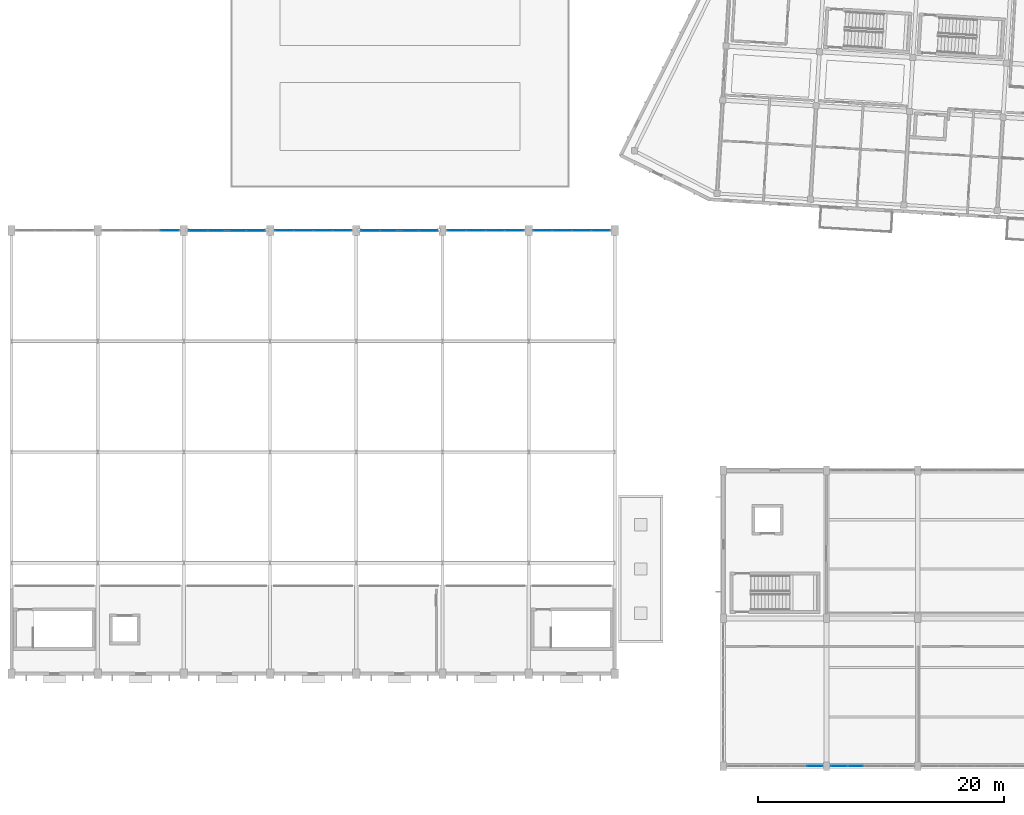
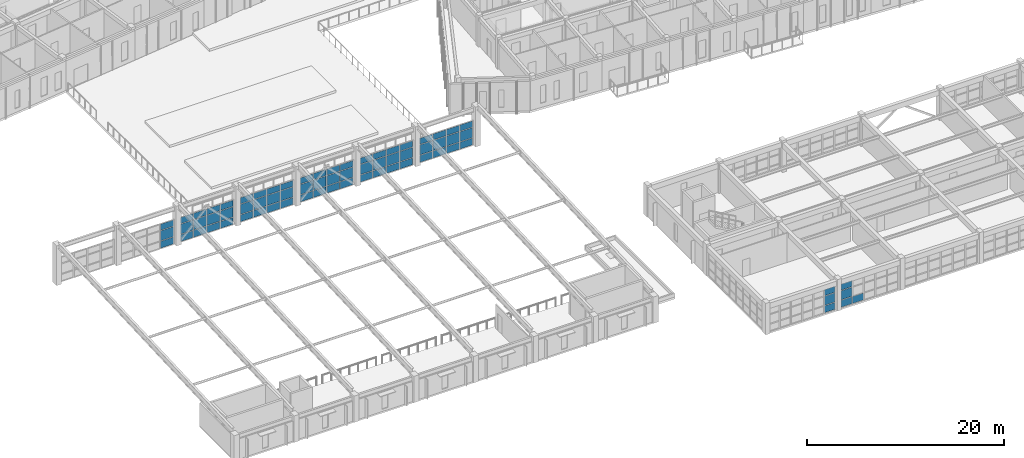
# One storey, part 68 of 150: 70 plates, 8 elements without a shape of their own.
"""IFC4 building model written with IfcOpenShell, lengths in metres."""

from ifc_helpers import new_model, si_unit, direction, frame, origin, origin_2d, place, context, subcontext, project, spatial, rectangle, extrude, material, layer, layer_set, type_object, element, aggregate, save


model = new_model("IFC4")

# Units and contexts
model_context = context("Model", 3, precision=1e-05, world=origin(), true_north=direction((0.0, 1.0)))
body_context = subcontext(model_context, "Body", "Model", "MODEL_VIEW")
ifc_project = project(units=[si_unit("LENGTHUNIT", "METRE"), si_unit("AREAUNIT", "SQUARE_METRE"), si_unit("VOLUMEUNIT", "CUBIC_METRE"), si_unit("PLANEANGLEUNIT", "RADIAN"), si_unit("MASSUNIT", "GRAM", prefix="KILO")], contexts=[model_context])

# Site, building, storey
site_placement = place(None, origin())
site = spatial("IfcSite", under=ifc_project, at=site_placement, CompositionType="ELEMENT")
building_placement = place(site_placement, origin())
building = spatial("IfcBuilding", under=site, at=building_placement, Name="Kestramere Prow Commons", CompositionType="ELEMENT")
storey_placement = place(building_placement, frame((0.0, 0.0, 4.5)))
storey = spatial("IfcBuildingStorey", under=building, at=storey_placement, Name="L01", CompositionType="ELEMENT", Elevation=4.5)

# Curtain wall, plates
ifc_material_1 = material(Name="Anodised Aluminium and Low-E Glass", Category="aluminium")
curtain_wall_type_1 = type_object("IfcCurtainWallType", Name="CW-12 Glazed Curtain Wall 6300x3100", PredefinedType="USERDEFINED", material=ifc_material_1)
curtain_wall_1_placement = place(storey_placement, origin())
curtain_wall_1 = element("IfcCurtainWall", 1, at=curtain_wall_1_placement, inside=storey, type_object=curtain_wall_type_1, Name="Hall North Clerestory Curtain Wall L01-2", ObjectType="GLAZED CURTAIN WALL", PredefinedType="USERDEFINED")
ifc_material_2 = material(Name="Low-E Laminated Double Glazing", Category="glass")
ifc_layer = layer(ifc_material_2, 0.028076171875)
ifc_layer_set = layer_set([ifc_layer], Name="Low-E Laminated Double Glazing")
plate_type = type_object("IfcPlateType", Name="CW-PNL-28", PredefinedType="CURTAIN_PANEL", material=ifc_layer_set)
plate_1_placement = place(storey_placement, frame((15.046142578125, 43.5, 0.06494140625), z_axis=(0.0, 0.0, 1.0), x_axis=(1.0, 0.0, 0.0)))
plate_1 = element("IfcPlate", 2, at=plate_1_placement, type_object=plate_type, Name="CW-12 panel 4.1", PredefinedType="CURTAIN_PANEL", context=body_context, shape_type="SweptSolid", body=[
    extrude(rectangle(XDim=1.4775390625, YDim=0.028076171875, at=origin_2d()), origin(), (0.0, 0.0, 1.0), 0.8525390625),
])
plate_2_placement = place(storey_placement, frame((15.046142578125, 43.5, 0.982421875), z_axis=(0.0, 0.0, 1.0), x_axis=(1.0, 0.0, 0.0)))
plate_2 = element("IfcPlate", 3, at=plate_2_placement, type_object=plate_type, Name="CW-12 panel 4.2", PredefinedType="CURTAIN_PANEL", context=body_context, shape_type="SweptSolid", body=[
    extrude(rectangle(XDim=1.4775390625, YDim=0.028076171875, at=origin_2d()), origin(), (0.0, 0.0, 1.0), 1.235107421875),
])
plate_3_placement = place(storey_placement, frame((15.046142578125, 43.5, 2.282470703125), z_axis=(0.0, 0.0, 1.0), x_axis=(1.0, 0.0, 0.0)))
plate_3 = element("IfcPlate", 4, at=plate_3_placement, type_object=plate_type, Name="CW-12 panel 4.3", PredefinedType="CURTAIN_PANEL", context=body_context, shape_type="SweptSolid", body=[
    extrude(rectangle(XDim=1.4775390625, YDim=0.028076171875, at=origin_2d()), origin(), (0.0, 0.0, 1.0), 0.75244140625),
])
aggregate(curtain_wall_1, [plate_1, plate_2, plate_3])

curtain_wall_2_placement = place(storey_placement, origin())
curtain_wall_2 = element("IfcCurtainWall", 5, at=curtain_wall_2_placement, inside=storey, type_object=curtain_wall_type_1, Name="Hall North Clerestory Curtain Wall L01-3", ObjectType="GLAZED CURTAIN WALL", PredefinedType="USERDEFINED")
plate_4_placement = place(storey_placement, frame((17.353759765625, 43.5, 0.06494140625), z_axis=(0.0, 0.0, 1.0), x_axis=(1.0, 0.0, 0.0)))
plate_4 = element("IfcPlate", 6, at=plate_4_placement, type_object=plate_type, Name="CW-12 panel 1.1", PredefinedType="CURTAIN_PANEL", context=body_context, shape_type="SweptSolid", body=[
    extrude(rectangle(XDim=1.4775390625, YDim=0.028076171875, at=origin_2d()), origin(), (0.0, 0.0, 1.0), 0.8525390625),
])
plate_5_placement = place(storey_placement, frame((17.353759765625, 43.5, 0.982421875), z_axis=(0.0, 0.0, 1.0), x_axis=(1.0, 0.0, 0.0)))
plate_5 = element("IfcPlate", 7, at=plate_5_placement, type_object=plate_type, Name="CW-12 panel 1.2", PredefinedType="CURTAIN_PANEL", context=body_context, shape_type="SweptSolid", body=[
    extrude(rectangle(XDim=1.4775390625, YDim=0.028076171875, at=origin_2d()), origin(), (0.0, 0.0, 1.0), 1.235107421875),
])
plate_6_placement = place(storey_placement, frame((17.353759765625, 43.5, 2.282470703125), z_axis=(0.0, 0.0, 1.0), x_axis=(1.0, 0.0, 0.0)))
plate_6 = element("IfcPlate", 8, at=plate_6_placement, type_object=plate_type, Name="CW-12 panel 1.3", PredefinedType="CURTAIN_PANEL", context=body_context, shape_type="SweptSolid", body=[
    extrude(rectangle(XDim=1.4775390625, YDim=0.028076171875, at=origin_2d()), origin(), (0.0, 0.0, 1.0), 0.75244140625),
])
plate_7_placement = place(storey_placement, frame((18.91259765625, 43.5, 0.06494140625), z_axis=(0.0, 0.0, 1.0), x_axis=(1.0, 0.0, 0.0)))
plate_7 = element("IfcPlate", 9, at=plate_7_placement, type_object=plate_type, Name="CW-12 panel 2.1", PredefinedType="CURTAIN_PANEL", context=body_context, shape_type="SweptSolid", body=[
    extrude(rectangle(XDim=1.510009765625, YDim=0.028076171875, at=origin_2d()), origin(), (0.0, 0.0, 1.0), 0.8525390625),
])
plate_8_placement = place(storey_placement, frame((18.91259765625, 43.5, 0.982421875), z_axis=(0.0, 0.0, 1.0), x_axis=(1.0, 0.0, 0.0)))
plate_8 = element("IfcPlate", 10, at=plate_8_placement, type_object=plate_type, Name="CW-12 panel 2.2", PredefinedType="CURTAIN_PANEL", context=body_context, shape_type="SweptSolid", body=[
    extrude(rectangle(XDim=1.510009765625, YDim=0.028076171875, at=origin_2d()), origin(), (0.0, 0.0, 1.0), 1.235107421875),
])
plate_9_placement = place(storey_placement, frame((18.91259765625, 43.5, 2.282470703125), z_axis=(0.0, 0.0, 1.0), x_axis=(1.0, 0.0, 0.0)))
plate_9 = element("IfcPlate", 11, at=plate_9_placement, type_object=plate_type, Name="CW-12 panel 2.3", PredefinedType="CURTAIN_PANEL", context=body_context, shape_type="SweptSolid", body=[
    extrude(rectangle(XDim=1.510009765625, YDim=0.028076171875, at=origin_2d()), origin(), (0.0, 0.0, 1.0), 0.75244140625),
])
plate_10_placement = place(storey_placement, frame((20.487548828125, 43.5, 0.06494140625), z_axis=(0.0, 0.0, 1.0), x_axis=(1.0, 0.0, 0.0)))
plate_10 = element("IfcPlate", 12, at=plate_10_placement, type_object=plate_type, Name="CW-12 panel 3.1", PredefinedType="CURTAIN_PANEL", context=body_context, shape_type="SweptSolid", body=[
    extrude(rectangle(XDim=1.510009765625, YDim=0.028076171875, at=origin_2d()), origin(), (0.0, 0.0, 1.0), 0.8525390625),
])
plate_11_placement = place(storey_placement, frame((20.487548828125, 43.5, 0.982421875), z_axis=(0.0, 0.0, 1.0), x_axis=(1.0, 0.0, 0.0)))
plate_11 = element("IfcPlate", 13, at=plate_11_placement, type_object=plate_type, Name="CW-12 panel 3.2", PredefinedType="CURTAIN_PANEL", context=body_context, shape_type="SweptSolid", body=[
    extrude(rectangle(XDim=1.510009765625, YDim=0.028076171875, at=origin_2d()), origin(), (0.0, 0.0, 1.0), 1.235107421875),
])
plate_12_placement = place(storey_placement, frame((20.487548828125, 43.5, 2.282470703125), z_axis=(0.0, 0.0, 1.0), x_axis=(1.0, 0.0, 0.0)))
plate_12 = element("IfcPlate", 14, at=plate_12_placement, type_object=plate_type, Name="CW-12 panel 3.3", PredefinedType="CURTAIN_PANEL", context=body_context, shape_type="SweptSolid", body=[
    extrude(rectangle(XDim=1.510009765625, YDim=0.028076171875, at=origin_2d()), origin(), (0.0, 0.0, 1.0), 0.75244140625),
])
plate_13_placement = place(storey_placement, frame((22.046142578125, 43.5, 0.06494140625), z_axis=(0.0, 0.0, 1.0), x_axis=(1.0, 0.0, 0.0)))
plate_13 = element("IfcPlate", 15, at=plate_13_placement, type_object=plate_type, Name="CW-12 panel 4.1", PredefinedType="CURTAIN_PANEL", context=body_context, shape_type="SweptSolid", body=[
    extrude(rectangle(XDim=1.4775390625, YDim=0.028076171875, at=origin_2d()), origin(), (0.0, 0.0, 1.0), 0.8525390625),
])
plate_14_placement = place(storey_placement, frame((22.046142578125, 43.5, 0.982421875), z_axis=(0.0, 0.0, 1.0), x_axis=(1.0, 0.0, 0.0)))
plate_14 = element("IfcPlate", 16, at=plate_14_placement, type_object=plate_type, Name="CW-12 panel 4.2", PredefinedType="CURTAIN_PANEL", context=body_context, shape_type="SweptSolid", body=[
    extrude(rectangle(XDim=1.4775390625, YDim=0.028076171875, at=origin_2d()), origin(), (0.0, 0.0, 1.0), 1.235107421875),
])
plate_15_placement = place(storey_placement, frame((22.046142578125, 43.5, 2.282470703125), z_axis=(0.0, 0.0, 1.0), x_axis=(1.0, 0.0, 0.0)))
plate_15 = element("IfcPlate", 17, at=plate_15_placement, type_object=plate_type, Name="CW-12 panel 4.3", PredefinedType="CURTAIN_PANEL", context=body_context, shape_type="SweptSolid", body=[
    extrude(rectangle(XDim=1.4775390625, YDim=0.028076171875, at=origin_2d()), origin(), (0.0, 0.0, 1.0), 0.75244140625),
])
aggregate(curtain_wall_2, [plate_4, plate_5, plate_6, plate_7, plate_8, plate_9, plate_10, plate_11, plate_12, plate_13, plate_14, plate_15])

curtain_wall_3_placement = place(storey_placement, origin())
curtain_wall_3 = element("IfcCurtainWall", 18, at=curtain_wall_3_placement, inside=storey, type_object=curtain_wall_type_1, Name="Hall North Clerestory Curtain Wall L01-4", ObjectType="GLAZED CURTAIN WALL", PredefinedType="USERDEFINED")
plate_16_placement = place(storey_placement, frame((24.353759765625, 43.5, 0.06494140625), z_axis=(0.0, 0.0, 1.0), x_axis=(1.0, 0.0, 0.0)))
plate_16 = element("IfcPlate", 19, at=plate_16_placement, type_object=plate_type, Name="CW-12 panel 1.1", PredefinedType="CURTAIN_PANEL", context=body_context, shape_type="SweptSolid", body=[
    extrude(rectangle(XDim=1.4775390625, YDim=0.028076171875, at=origin_2d()), origin(), (0.0, 0.0, 1.0), 0.8525390625),
])
plate_17_placement = place(storey_placement, frame((24.353759765625, 43.5, 0.982421875), z_axis=(0.0, 0.0, 1.0), x_axis=(1.0, 0.0, 0.0)))
plate_17 = element("IfcPlate", 20, at=plate_17_placement, type_object=plate_type, Name="CW-12 panel 1.2", PredefinedType="CURTAIN_PANEL", context=body_context, shape_type="SweptSolid", body=[
    extrude(rectangle(XDim=1.4775390625, YDim=0.028076171875, at=origin_2d()), origin(), (0.0, 0.0, 1.0), 1.235107421875),
])
plate_18_placement = place(storey_placement, frame((24.353759765625, 43.5, 2.282470703125), z_axis=(0.0, 0.0, 1.0), x_axis=(1.0, 0.0, 0.0)))
plate_18 = element("IfcPlate", 21, at=plate_18_placement, type_object=plate_type, Name="CW-12 panel 1.3", PredefinedType="CURTAIN_PANEL", context=body_context, shape_type="SweptSolid", body=[
    extrude(rectangle(XDim=1.4775390625, YDim=0.028076171875, at=origin_2d()), origin(), (0.0, 0.0, 1.0), 0.75244140625),
])
plate_19_placement = place(storey_placement, frame((25.91259765625, 43.5, 0.06494140625), z_axis=(0.0, 0.0, 1.0), x_axis=(1.0, 0.0, 0.0)))
plate_19 = element("IfcPlate", 22, at=plate_19_placement, type_object=plate_type, Name="CW-12 panel 2.1", PredefinedType="CURTAIN_PANEL", context=body_context, shape_type="SweptSolid", body=[
    extrude(rectangle(XDim=1.510009765625, YDim=0.028076171875, at=origin_2d()), origin(), (0.0, 0.0, 1.0), 0.8525390625),
])
plate_20_placement = place(storey_placement, frame((25.91259765625, 43.5, 0.982421875), z_axis=(0.0, 0.0, 1.0), x_axis=(1.0, 0.0, 0.0)))
plate_20 = element("IfcPlate", 23, at=plate_20_placement, type_object=plate_type, Name="CW-12 panel 2.2", PredefinedType="CURTAIN_PANEL", context=body_context, shape_type="SweptSolid", body=[
    extrude(rectangle(XDim=1.510009765625, YDim=0.028076171875, at=origin_2d()), origin(), (0.0, 0.0, 1.0), 1.235107421875),
])
plate_21_placement = place(storey_placement, frame((25.91259765625, 43.5, 2.282470703125), z_axis=(0.0, 0.0, 1.0), x_axis=(1.0, 0.0, 0.0)))
plate_21 = element("IfcPlate", 24, at=plate_21_placement, type_object=plate_type, Name="CW-12 panel 2.3", PredefinedType="CURTAIN_PANEL", context=body_context, shape_type="SweptSolid", body=[
    extrude(rectangle(XDim=1.510009765625, YDim=0.028076171875, at=origin_2d()), origin(), (0.0, 0.0, 1.0), 0.75244140625),
])
plate_22_placement = place(storey_placement, frame((27.487548828125, 43.5, 0.06494140625), z_axis=(0.0, 0.0, 1.0), x_axis=(1.0, 0.0, 0.0)))
plate_22 = element("IfcPlate", 25, at=plate_22_placement, type_object=plate_type, Name="CW-12 panel 3.1", PredefinedType="CURTAIN_PANEL", context=body_context, shape_type="SweptSolid", body=[
    extrude(rectangle(XDim=1.510009765625, YDim=0.028076171875, at=origin_2d()), origin(), (0.0, 0.0, 1.0), 0.8525390625),
])
plate_23_placement = place(storey_placement, frame((27.487548828125, 43.5, 0.982421875), z_axis=(0.0, 0.0, 1.0), x_axis=(1.0, 0.0, 0.0)))
plate_23 = element("IfcPlate", 26, at=plate_23_placement, type_object=plate_type, Name="CW-12 panel 3.2", PredefinedType="CURTAIN_PANEL", context=body_context, shape_type="SweptSolid", body=[
    extrude(rectangle(XDim=1.510009765625, YDim=0.028076171875, at=origin_2d()), origin(), (0.0, 0.0, 1.0), 1.235107421875),
])
plate_24_placement = place(storey_placement, frame((27.487548828125, 43.5, 2.282470703125), z_axis=(0.0, 0.0, 1.0), x_axis=(1.0, 0.0, 0.0)))
plate_24 = element("IfcPlate", 27, at=plate_24_placement, type_object=plate_type, Name="CW-12 panel 3.3", PredefinedType="CURTAIN_PANEL", context=body_context, shape_type="SweptSolid", body=[
    extrude(rectangle(XDim=1.510009765625, YDim=0.028076171875, at=origin_2d()), origin(), (0.0, 0.0, 1.0), 0.75244140625),
])
plate_25_placement = place(storey_placement, frame((29.046142578125, 43.5, 0.06494140625), z_axis=(0.0, 0.0, 1.0), x_axis=(1.0, 0.0, 0.0)))
plate_25 = element("IfcPlate", 28, at=plate_25_placement, type_object=plate_type, Name="CW-12 panel 4.1", PredefinedType="CURTAIN_PANEL", context=body_context, shape_type="SweptSolid", body=[
    extrude(rectangle(XDim=1.4775390625, YDim=0.028076171875, at=origin_2d()), origin(), (0.0, 0.0, 1.0), 0.8525390625),
])
plate_26_placement = place(storey_placement, frame((29.046142578125, 43.5, 0.982421875), z_axis=(0.0, 0.0, 1.0), x_axis=(1.0, 0.0, 0.0)))
plate_26 = element("IfcPlate", 29, at=plate_26_placement, type_object=plate_type, Name="CW-12 panel 4.2", PredefinedType="CURTAIN_PANEL", context=body_context, shape_type="SweptSolid", body=[
    extrude(rectangle(XDim=1.4775390625, YDim=0.028076171875, at=origin_2d()), origin(), (0.0, 0.0, 1.0), 1.235107421875),
])
plate_27_placement = place(storey_placement, frame((29.046142578125, 43.5, 2.282470703125), z_axis=(0.0, 0.0, 1.0), x_axis=(1.0, 0.0, 0.0)))
plate_27 = element("IfcPlate", 30, at=plate_27_placement, type_object=plate_type, Name="CW-12 panel 4.3", PredefinedType="CURTAIN_PANEL", context=body_context, shape_type="SweptSolid", body=[
    extrude(rectangle(XDim=1.4775390625, YDim=0.028076171875, at=origin_2d()), origin(), (0.0, 0.0, 1.0), 0.75244140625),
])
aggregate(curtain_wall_3, [plate_16, plate_17, plate_18, plate_19, plate_20, plate_21, plate_22, plate_23, plate_24, plate_25, plate_26, plate_27])

curtain_wall_4_placement = place(storey_placement, origin())
curtain_wall_4 = element("IfcCurtainWall", 31, at=curtain_wall_4_placement, inside=storey, type_object=curtain_wall_type_1, Name="Hall North Clerestory Curtain Wall L01-5", ObjectType="GLAZED CURTAIN WALL", PredefinedType="USERDEFINED")
plate_28_placement = place(storey_placement, frame((31.353759765625, 43.5, 0.06494140625), z_axis=(0.0, 0.0, 1.0), x_axis=(1.0, 0.0, 0.0)))
plate_28 = element("IfcPlate", 32, at=plate_28_placement, type_object=plate_type, Name="CW-12 panel 1.1", PredefinedType="CURTAIN_PANEL", context=body_context, shape_type="SweptSolid", body=[
    extrude(rectangle(XDim=1.4775390625, YDim=0.028076171875, at=origin_2d()), origin(), (0.0, 0.0, 1.0), 0.8525390625),
])
plate_29_placement = place(storey_placement, frame((31.353759765625, 43.5, 0.982421875), z_axis=(0.0, 0.0, 1.0), x_axis=(1.0, 0.0, 0.0)))
plate_29 = element("IfcPlate", 33, at=plate_29_placement, type_object=plate_type, Name="CW-12 panel 1.2", PredefinedType="CURTAIN_PANEL", context=body_context, shape_type="SweptSolid", body=[
    extrude(rectangle(XDim=1.4775390625, YDim=0.028076171875, at=origin_2d()), origin(), (0.0, 0.0, 1.0), 1.235107421875),
])
plate_30_placement = place(storey_placement, frame((31.353759765625, 43.5, 2.282470703125), z_axis=(0.0, 0.0, 1.0), x_axis=(1.0, 0.0, 0.0)))
plate_30 = element("IfcPlate", 34, at=plate_30_placement, type_object=plate_type, Name="CW-12 panel 1.3", PredefinedType="CURTAIN_PANEL", context=body_context, shape_type="SweptSolid", body=[
    extrude(rectangle(XDim=1.4775390625, YDim=0.028076171875, at=origin_2d()), origin(), (0.0, 0.0, 1.0), 0.75244140625),
])
plate_31_placement = place(storey_placement, frame((32.91259765625, 43.5, 0.06494140625), z_axis=(0.0, 0.0, 1.0), x_axis=(1.0, 0.0, 0.0)))
plate_31 = element("IfcPlate", 35, at=plate_31_placement, type_object=plate_type, Name="CW-12 panel 2.1", PredefinedType="CURTAIN_PANEL", context=body_context, shape_type="SweptSolid", body=[
    extrude(rectangle(XDim=1.510009765625, YDim=0.028076171875, at=origin_2d()), origin(), (0.0, 0.0, 1.0), 0.8525390625),
])
plate_32_placement = place(storey_placement, frame((32.91259765625, 43.5, 0.982421875), z_axis=(0.0, 0.0, 1.0), x_axis=(1.0, 0.0, 0.0)))
plate_32 = element("IfcPlate", 36, at=plate_32_placement, type_object=plate_type, Name="CW-12 panel 2.2", PredefinedType="CURTAIN_PANEL", context=body_context, shape_type="SweptSolid", body=[
    extrude(rectangle(XDim=1.510009765625, YDim=0.028076171875, at=origin_2d()), origin(), (0.0, 0.0, 1.0), 1.235107421875),
])
plate_33_placement = place(storey_placement, frame((32.91259765625, 43.5, 2.282470703125), z_axis=(0.0, 0.0, 1.0), x_axis=(1.0, 0.0, 0.0)))
plate_33 = element("IfcPlate", 37, at=plate_33_placement, type_object=plate_type, Name="CW-12 panel 2.3", PredefinedType="CURTAIN_PANEL", context=body_context, shape_type="SweptSolid", body=[
    extrude(rectangle(XDim=1.510009765625, YDim=0.028076171875, at=origin_2d()), origin(), (0.0, 0.0, 1.0), 0.75244140625),
])
plate_34_placement = place(storey_placement, frame((34.487548828125, 43.5, 0.06494140625), z_axis=(0.0, 0.0, 1.0), x_axis=(1.0, 0.0, 0.0)))
plate_34 = element("IfcPlate", 38, at=plate_34_placement, type_object=plate_type, Name="CW-12 panel 3.1", PredefinedType="CURTAIN_PANEL", context=body_context, shape_type="SweptSolid", body=[
    extrude(rectangle(XDim=1.510009765625, YDim=0.028076171875, at=origin_2d()), origin(), (0.0, 0.0, 1.0), 0.8525390625),
])
plate_35_placement = place(storey_placement, frame((34.487548828125, 43.5, 0.982421875), z_axis=(0.0, 0.0, 1.0), x_axis=(1.0, 0.0, 0.0)))
plate_35 = element("IfcPlate", 39, at=plate_35_placement, type_object=plate_type, Name="CW-12 panel 3.2", PredefinedType="CURTAIN_PANEL", context=body_context, shape_type="SweptSolid", body=[
    extrude(rectangle(XDim=1.510009765625, YDim=0.028076171875, at=origin_2d()), origin(), (0.0, 0.0, 1.0), 1.235107421875),
])
plate_36_placement = place(storey_placement, frame((34.487548828125, 43.5, 2.282470703125), z_axis=(0.0, 0.0, 1.0), x_axis=(1.0, 0.0, 0.0)))
plate_36 = element("IfcPlate", 40, at=plate_36_placement, type_object=plate_type, Name="CW-12 panel 3.3", PredefinedType="CURTAIN_PANEL", context=body_context, shape_type="SweptSolid", body=[
    extrude(rectangle(XDim=1.510009765625, YDim=0.028076171875, at=origin_2d()), origin(), (0.0, 0.0, 1.0), 0.75244140625),
])
plate_37_placement = place(storey_placement, frame((36.046142578125, 43.5, 0.06494140625), z_axis=(0.0, 0.0, 1.0), x_axis=(1.0, 0.0, 0.0)))
plate_37 = element("IfcPlate", 41, at=plate_37_placement, type_object=plate_type, Name="CW-12 panel 4.1", PredefinedType="CURTAIN_PANEL", context=body_context, shape_type="SweptSolid", body=[
    extrude(rectangle(XDim=1.4775390625, YDim=0.028076171875, at=origin_2d()), origin(), (0.0, 0.0, 1.0), 0.8525390625),
])
plate_38_placement = place(storey_placement, frame((36.046142578125, 43.5, 0.982421875), z_axis=(0.0, 0.0, 1.0), x_axis=(1.0, 0.0, 0.0)))
plate_38 = element("IfcPlate", 42, at=plate_38_placement, type_object=plate_type, Name="CW-12 panel 4.2", PredefinedType="CURTAIN_PANEL", context=body_context, shape_type="SweptSolid", body=[
    extrude(rectangle(XDim=1.4775390625, YDim=0.028076171875, at=origin_2d()), origin(), (0.0, 0.0, 1.0), 1.235107421875),
])
plate_39_placement = place(storey_placement, frame((36.046142578125, 43.5, 2.282470703125), z_axis=(0.0, 0.0, 1.0), x_axis=(1.0, 0.0, 0.0)))
plate_39 = element("IfcPlate", 43, at=plate_39_placement, type_object=plate_type, Name="CW-12 panel 4.3", PredefinedType="CURTAIN_PANEL", context=body_context, shape_type="SweptSolid", body=[
    extrude(rectangle(XDim=1.4775390625, YDim=0.028076171875, at=origin_2d()), origin(), (0.0, 0.0, 1.0), 0.75244140625),
])
aggregate(curtain_wall_4, [plate_28, plate_29, plate_30, plate_31, plate_32, plate_33, plate_34, plate_35, plate_36, plate_37, plate_38, plate_39])

curtain_wall_5_placement = place(storey_placement, origin())
curtain_wall_5 = element("IfcCurtainWall", 44, at=curtain_wall_5_placement, inside=storey, type_object=curtain_wall_type_1, Name="Hall North Clerestory Curtain Wall L01-6", ObjectType="GLAZED CURTAIN WALL", PredefinedType="USERDEFINED")
plate_40_placement = place(storey_placement, frame((38.353759765625, 43.5, 0.06494140625), z_axis=(0.0, 0.0, 1.0), x_axis=(1.0, 0.0, 0.0)))
plate_40 = element("IfcPlate", 45, at=plate_40_placement, type_object=plate_type, Name="CW-12 panel 1.1", PredefinedType="CURTAIN_PANEL", context=body_context, shape_type="SweptSolid", body=[
    extrude(rectangle(XDim=1.4775390625, YDim=0.028076171875, at=origin_2d()), origin(), (0.0, 0.0, 1.0), 0.8525390625),
])
plate_41_placement = place(storey_placement, frame((38.353759765625, 43.5, 0.982421875), z_axis=(0.0, 0.0, 1.0), x_axis=(1.0, 0.0, 0.0)))
plate_41 = element("IfcPlate", 46, at=plate_41_placement, type_object=plate_type, Name="CW-12 panel 1.2", PredefinedType="CURTAIN_PANEL", context=body_context, shape_type="SweptSolid", body=[
    extrude(rectangle(XDim=1.4775390625, YDim=0.028076171875, at=origin_2d()), origin(), (0.0, 0.0, 1.0), 1.235107421875),
])
plate_42_placement = place(storey_placement, frame((38.353759765625, 43.5, 2.282470703125), z_axis=(0.0, 0.0, 1.0), x_axis=(1.0, 0.0, 0.0)))
plate_42 = element("IfcPlate", 47, at=plate_42_placement, type_object=plate_type, Name="CW-12 panel 1.3", PredefinedType="CURTAIN_PANEL", context=body_context, shape_type="SweptSolid", body=[
    extrude(rectangle(XDim=1.4775390625, YDim=0.028076171875, at=origin_2d()), origin(), (0.0, 0.0, 1.0), 0.75244140625),
])
plate_43_placement = place(storey_placement, frame((39.91259765625, 43.5, 0.06494140625), z_axis=(0.0, 0.0, 1.0), x_axis=(1.0, 0.0, 0.0)))
plate_43 = element("IfcPlate", 48, at=plate_43_placement, type_object=plate_type, Name="CW-12 panel 2.1", PredefinedType="CURTAIN_PANEL", context=body_context, shape_type="SweptSolid", body=[
    extrude(rectangle(XDim=1.510009765625, YDim=0.028076171875, at=origin_2d()), origin(), (0.0, 0.0, 1.0), 0.8525390625),
])
plate_44_placement = place(storey_placement, frame((39.91259765625, 43.5, 0.982421875), z_axis=(0.0, 0.0, 1.0), x_axis=(1.0, 0.0, 0.0)))
plate_44 = element("IfcPlate", 49, at=plate_44_placement, type_object=plate_type, Name="CW-12 panel 2.2", PredefinedType="CURTAIN_PANEL", context=body_context, shape_type="SweptSolid", body=[
    extrude(rectangle(XDim=1.510009765625, YDim=0.028076171875, at=origin_2d()), origin(), (0.0, 0.0, 1.0), 1.235107421875),
])
plate_45_placement = place(storey_placement, frame((39.91259765625, 43.5, 2.282470703125), z_axis=(0.0, 0.0, 1.0), x_axis=(1.0, 0.0, 0.0)))
plate_45 = element("IfcPlate", 50, at=plate_45_placement, type_object=plate_type, Name="CW-12 panel 2.3", PredefinedType="CURTAIN_PANEL", context=body_context, shape_type="SweptSolid", body=[
    extrude(rectangle(XDim=1.510009765625, YDim=0.028076171875, at=origin_2d()), origin(), (0.0, 0.0, 1.0), 0.75244140625),
])
plate_46_placement = place(storey_placement, frame((41.487548828125, 43.5, 0.06494140625), z_axis=(0.0, 0.0, 1.0), x_axis=(1.0, 0.0, 0.0)))
plate_46 = element("IfcPlate", 51, at=plate_46_placement, type_object=plate_type, Name="CW-12 panel 3.1", PredefinedType="CURTAIN_PANEL", context=body_context, shape_type="SweptSolid", body=[
    extrude(rectangle(XDim=1.510009765625, YDim=0.028076171875, at=origin_2d()), origin(), (0.0, 0.0, 1.0), 0.8525390625),
])
plate_47_placement = place(storey_placement, frame((41.487548828125, 43.5, 0.982421875), z_axis=(0.0, 0.0, 1.0), x_axis=(1.0, 0.0, 0.0)))
plate_47 = element("IfcPlate", 52, at=plate_47_placement, type_object=plate_type, Name="CW-12 panel 3.2", PredefinedType="CURTAIN_PANEL", context=body_context, shape_type="SweptSolid", body=[
    extrude(rectangle(XDim=1.510009765625, YDim=0.028076171875, at=origin_2d()), origin(), (0.0, 0.0, 1.0), 1.235107421875),
])
plate_48_placement = place(storey_placement, frame((41.487548828125, 43.5, 2.282470703125), z_axis=(0.0, 0.0, 1.0), x_axis=(1.0, 0.0, 0.0)))
plate_48 = element("IfcPlate", 53, at=plate_48_placement, type_object=plate_type, Name="CW-12 panel 3.3", PredefinedType="CURTAIN_PANEL", context=body_context, shape_type="SweptSolid", body=[
    extrude(rectangle(XDim=1.510009765625, YDim=0.028076171875, at=origin_2d()), origin(), (0.0, 0.0, 1.0), 0.75244140625),
])
plate_49_placement = place(storey_placement, frame((43.046142578125, 43.5, 0.06494140625), z_axis=(0.0, 0.0, 1.0), x_axis=(1.0, 0.0, 0.0)))
plate_49 = element("IfcPlate", 54, at=plate_49_placement, type_object=plate_type, Name="CW-12 panel 4.1", PredefinedType="CURTAIN_PANEL", context=body_context, shape_type="SweptSolid", body=[
    extrude(rectangle(XDim=1.4775390625, YDim=0.028076171875, at=origin_2d()), origin(), (0.0, 0.0, 1.0), 0.8525390625),
])
plate_50_placement = place(storey_placement, frame((43.046142578125, 43.5, 0.982421875), z_axis=(0.0, 0.0, 1.0), x_axis=(1.0, 0.0, 0.0)))
plate_50 = element("IfcPlate", 55, at=plate_50_placement, type_object=plate_type, Name="CW-12 panel 4.2", PredefinedType="CURTAIN_PANEL", context=body_context, shape_type="SweptSolid", body=[
    extrude(rectangle(XDim=1.4775390625, YDim=0.028076171875, at=origin_2d()), origin(), (0.0, 0.0, 1.0), 1.235107421875),
])
plate_51_placement = place(storey_placement, frame((43.046142578125, 43.5, 2.282470703125), z_axis=(0.0, 0.0, 1.0), x_axis=(1.0, 0.0, 0.0)))
plate_51 = element("IfcPlate", 56, at=plate_51_placement, type_object=plate_type, Name="CW-12 panel 4.3", PredefinedType="CURTAIN_PANEL", context=body_context, shape_type="SweptSolid", body=[
    extrude(rectangle(XDim=1.4775390625, YDim=0.028076171875, at=origin_2d()), origin(), (0.0, 0.0, 1.0), 0.75244140625),
])
aggregate(curtain_wall_5, [plate_40, plate_41, plate_42, plate_43, plate_44, plate_45, plate_46, plate_47, plate_48, plate_49, plate_50, plate_51])

curtain_wall_6_placement = place(storey_placement, origin())
curtain_wall_6 = element("IfcCurtainWall", 57, at=curtain_wall_6_placement, inside=storey, type_object=curtain_wall_type_1, Name="Hall North Clerestory Curtain Wall L01-7", ObjectType="GLAZED CURTAIN WALL", PredefinedType="USERDEFINED")
plate_52_placement = place(storey_placement, frame((45.353759765625, 43.5, 0.06494140625), z_axis=(0.0, 0.0, 1.0), x_axis=(1.0, 0.0, 0.0)))
plate_52 = element("IfcPlate", 58, at=plate_52_placement, type_object=plate_type, Name="CW-12 panel 1.1", PredefinedType="CURTAIN_PANEL", context=body_context, shape_type="SweptSolid", body=[
    extrude(rectangle(XDim=1.4775390625, YDim=0.028076171875, at=origin_2d()), origin(), (0.0, 0.0, 1.0), 0.8525390625),
])
plate_53_placement = place(storey_placement, frame((45.353759765625, 43.5, 0.982421875), z_axis=(0.0, 0.0, 1.0), x_axis=(1.0, 0.0, 0.0)))
plate_53 = element("IfcPlate", 59, at=plate_53_placement, type_object=plate_type, Name="CW-12 panel 1.2", PredefinedType="CURTAIN_PANEL", context=body_context, shape_type="SweptSolid", body=[
    extrude(rectangle(XDim=1.4775390625, YDim=0.028076171875, at=origin_2d()), origin(), (0.0, 0.0, 1.0), 1.235107421875),
])
plate_54_placement = place(storey_placement, frame((45.353759765625, 43.5, 2.282470703125), z_axis=(0.0, 0.0, 1.0), x_axis=(1.0, 0.0, 0.0)))
plate_54 = element("IfcPlate", 60, at=plate_54_placement, type_object=plate_type, Name="CW-12 panel 1.3", PredefinedType="CURTAIN_PANEL", context=body_context, shape_type="SweptSolid", body=[
    extrude(rectangle(XDim=1.4775390625, YDim=0.028076171875, at=origin_2d()), origin(), (0.0, 0.0, 1.0), 0.75244140625),
])
plate_55_placement = place(storey_placement, frame((46.91259765625, 43.5, 0.06494140625), z_axis=(0.0, 0.0, 1.0), x_axis=(1.0, 0.0, 0.0)))
plate_55 = element("IfcPlate", 61, at=plate_55_placement, type_object=plate_type, Name="CW-12 panel 2.1", PredefinedType="CURTAIN_PANEL", context=body_context, shape_type="SweptSolid", body=[
    extrude(rectangle(XDim=1.510009765625, YDim=0.028076171875, at=origin_2d()), origin(), (0.0, 0.0, 1.0), 0.8525390625),
])
plate_56_placement = place(storey_placement, frame((46.91259765625, 43.5, 0.982421875), z_axis=(0.0, 0.0, 1.0), x_axis=(1.0, 0.0, 0.0)))
plate_56 = element("IfcPlate", 62, at=plate_56_placement, type_object=plate_type, Name="CW-12 panel 2.2", PredefinedType="CURTAIN_PANEL", context=body_context, shape_type="SweptSolid", body=[
    extrude(rectangle(XDim=1.510009765625, YDim=0.028076171875, at=origin_2d()), origin(), (0.0, 0.0, 1.0), 1.235107421875),
])
plate_57_placement = place(storey_placement, frame((46.91259765625, 43.5, 2.282470703125), z_axis=(0.0, 0.0, 1.0), x_axis=(1.0, 0.0, 0.0)))
plate_57 = element("IfcPlate", 63, at=plate_57_placement, type_object=plate_type, Name="CW-12 panel 2.3", PredefinedType="CURTAIN_PANEL", context=body_context, shape_type="SweptSolid", body=[
    extrude(rectangle(XDim=1.510009765625, YDim=0.028076171875, at=origin_2d()), origin(), (0.0, 0.0, 1.0), 0.75244140625),
])
plate_58_placement = place(storey_placement, frame((48.487548828125, 43.5, 0.06494140625), z_axis=(0.0, 0.0, 1.0), x_axis=(1.0, 0.0, 0.0)))
plate_58 = element("IfcPlate", 64, at=plate_58_placement, type_object=plate_type, Name="CW-12 panel 3.1", PredefinedType="CURTAIN_PANEL", context=body_context, shape_type="SweptSolid", body=[
    extrude(rectangle(XDim=1.510009765625, YDim=0.028076171875, at=origin_2d()), origin(), (0.0, 0.0, 1.0), 0.8525390625),
])
plate_59_placement = place(storey_placement, frame((48.487548828125, 43.5, 0.982421875), z_axis=(0.0, 0.0, 1.0), x_axis=(1.0, 0.0, 0.0)))
plate_59 = element("IfcPlate", 65, at=plate_59_placement, type_object=plate_type, Name="CW-12 panel 3.2", PredefinedType="CURTAIN_PANEL", context=body_context, shape_type="SweptSolid", body=[
    extrude(rectangle(XDim=1.510009765625, YDim=0.028076171875, at=origin_2d()), origin(), (0.0, 0.0, 1.0), 1.235107421875),
])
plate_60_placement = place(storey_placement, frame((48.487548828125, 43.5, 2.282470703125), z_axis=(0.0, 0.0, 1.0), x_axis=(1.0, 0.0, 0.0)))
plate_60 = element("IfcPlate", 66, at=plate_60_placement, type_object=plate_type, Name="CW-12 panel 3.3", PredefinedType="CURTAIN_PANEL", context=body_context, shape_type="SweptSolid", body=[
    extrude(rectangle(XDim=1.510009765625, YDim=0.028076171875, at=origin_2d()), origin(), (0.0, 0.0, 1.0), 0.75244140625),
])
plate_61_placement = place(storey_placement, frame((50.046142578125, 43.5, 0.06494140625), z_axis=(0.0, 0.0, 1.0), x_axis=(1.0, 0.0, 0.0)))
plate_61 = element("IfcPlate", 67, at=plate_61_placement, type_object=plate_type, Name="CW-12 panel 4.1", PredefinedType="CURTAIN_PANEL", context=body_context, shape_type="SweptSolid", body=[
    extrude(rectangle(XDim=1.4775390625, YDim=0.028076171875, at=origin_2d()), origin(), (0.0, 0.0, 1.0), 0.8525390625),
])
plate_62_placement = place(storey_placement, frame((50.046142578125, 43.5, 0.982421875), z_axis=(0.0, 0.0, 1.0), x_axis=(1.0, 0.0, 0.0)))
plate_62 = element("IfcPlate", 68, at=plate_62_placement, type_object=plate_type, Name="CW-12 panel 4.2", PredefinedType="CURTAIN_PANEL", context=body_context, shape_type="SweptSolid", body=[
    extrude(rectangle(XDim=1.4775390625, YDim=0.028076171875, at=origin_2d()), origin(), (0.0, 0.0, 1.0), 1.235107421875),
])
plate_63_placement = place(storey_placement, frame((50.046142578125, 43.5, 2.282470703125), z_axis=(0.0, 0.0, 1.0), x_axis=(1.0, 0.0, 0.0)))
plate_63 = element("IfcPlate", 69, at=plate_63_placement, type_object=plate_type, Name="CW-12 panel 4.3", PredefinedType="CURTAIN_PANEL", context=body_context, shape_type="SweptSolid", body=[
    extrude(rectangle(XDim=1.4775390625, YDim=0.028076171875, at=origin_2d()), origin(), (0.0, 0.0, 1.0), 0.75244140625),
])
aggregate(curtain_wall_6, [plate_52, plate_53, plate_54, plate_55, plate_56, plate_57, plate_58, plate_59, plate_60, plate_61, plate_62, plate_63])

curtain_wall_type_2 = type_object("IfcCurtainWallType", Name="CW-23 Glazed Curtain Wall 7800x2990", PredefinedType="USERDEFINED", material=ifc_material_1)
curtain_wall_7_placement = place(storey_placement, origin())
curtain_wall_7 = element("IfcCurtainWall", 70, at=curtain_wall_7_placement, inside=storey, type_object=curtain_wall_type_2, Name="Market L01 South Shopfront 1", ObjectType="GLAZED CURTAIN WALL", PredefinedType="USERDEFINED")
plate_64_placement = place(storey_placement, frame((67.433837890625, 0.0, 0.06494140625), z_axis=(0.0, 0.0, 1.0), x_axis=(-1.0, 0.0, 0.0)))
plate_64 = element("IfcPlate", 71, at=plate_64_placement, type_object=plate_type, Name="CW-23 panel 1.1", PredefinedType="CURTAIN_PANEL", context=body_context, shape_type="SweptSolid", body=[
    extrude(rectangle(XDim=1.202392578125, YDim=0.028076171875, at=origin_2d()), origin(), (0.0, 0.0, 1.0), 0.8525390625),
])
plate_65_placement = place(storey_placement, frame((67.433837890625, 0.0, 0.982421875), z_axis=(0.0, 0.0, 1.0), x_axis=(-1.0, 0.0, 0.0)))
plate_65 = element("IfcPlate", 72, at=plate_65_placement, type_object=plate_type, Name="CW-23 panel 1.2", PredefinedType="CURTAIN_PANEL", context=body_context, shape_type="SweptSolid", body=[
    extrude(rectangle(XDim=1.202392578125, YDim=0.028076171875, at=origin_2d()), origin(), (0.0, 0.0, 1.0), 1.125),
])
plate_66_placement = place(storey_placement, frame((67.433837890625, 0.0, 2.172607421875), z_axis=(0.0, 0.0, 1.0), x_axis=(-1.0, 0.0, 0.0)))
plate_66 = element("IfcPlate", 73, at=plate_66_placement, type_object=plate_type, Name="CW-23 panel 1.3", PredefinedType="CURTAIN_PANEL", context=body_context, shape_type="SweptSolid", body=[
    extrude(rectangle(XDim=1.202392578125, YDim=0.028076171875, at=origin_2d()), origin(), (0.0, 0.0, 1.0), 0.75244140625),
])
aggregate(curtain_wall_7, [plate_64, plate_65, plate_66])

curtain_wall_type_3 = type_object("IfcCurtainWallType", Name="CW-24 Glazed Curtain Wall 6800x2990", PredefinedType="USERDEFINED", material=ifc_material_1)
curtain_wall_8_placement = place(storey_placement, origin())
curtain_wall_8 = element("IfcCurtainWall", 74, at=curtain_wall_8_placement, inside=storey, type_object=curtain_wall_type_3, Name="Market L01 South Shopfront 2", ObjectType="GLAZED CURTAIN WALL", PredefinedType="USERDEFINED")
plate_67_placement = place(storey_placement, frame((70.739990234375, 0.0, 0.06494140625), z_axis=(0.0, 0.0, 1.0), x_axis=(-1.0, 0.0, 0.0)))
plate_67 = element("IfcPlate", 75, at=plate_67_placement, type_object=plate_type, Name="CW-24 panel 4.1", PredefinedType="CURTAIN_PANEL", context=body_context, shape_type="SweptSolid", body=[
    extrude(rectangle(XDim=1.294921875, YDim=0.028076171875, at=origin_2d()), origin(), (0.0, 0.0, 1.0), 0.8525390625),
])
plate_68_placement = place(storey_placement, frame((69.396240234375, 0.0, 0.06494140625), z_axis=(0.0, 0.0, 1.0), x_axis=(-1.0, 0.0, 0.0)))
plate_68 = element("IfcPlate", 76, at=plate_68_placement, type_object=plate_type, Name="CW-24 panel 5.1", PredefinedType="CURTAIN_PANEL", context=body_context, shape_type="SweptSolid", body=[
    extrude(rectangle(XDim=1.262451171875, YDim=0.028076171875, at=origin_2d()), origin(), (0.0, 0.0, 1.0), 0.8525390625),
])
plate_69_placement = place(storey_placement, frame((69.396240234375, 0.0, 0.982421875), z_axis=(0.0, 0.0, 1.0), x_axis=(-1.0, 0.0, 0.0)))
plate_69 = element("IfcPlate", 77, at=plate_69_placement, type_object=plate_type, Name="CW-24 panel 5.2", PredefinedType="CURTAIN_PANEL", context=body_context, shape_type="SweptSolid", body=[
    extrude(rectangle(XDim=1.262451171875, YDim=0.028076171875, at=origin_2d()), origin(), (0.0, 0.0, 1.0), 1.125),
])
plate_70_placement = place(storey_placement, frame((69.396240234375, 0.0, 2.172607421875), z_axis=(0.0, 0.0, 1.0), x_axis=(-1.0, 0.0, 0.0)))
plate_70 = element("IfcPlate", 78, at=plate_70_placement, type_object=plate_type, Name="CW-24 panel 5.3", PredefinedType="CURTAIN_PANEL", context=body_context, shape_type="SweptSolid", body=[
    extrude(rectangle(XDim=1.262451171875, YDim=0.028076171875, at=origin_2d()), origin(), (0.0, 0.0, 1.0), 0.75244140625),
])
aggregate(curtain_wall_8, [plate_67, plate_68, plate_69, plate_70])

save(model, "model.ifc")
